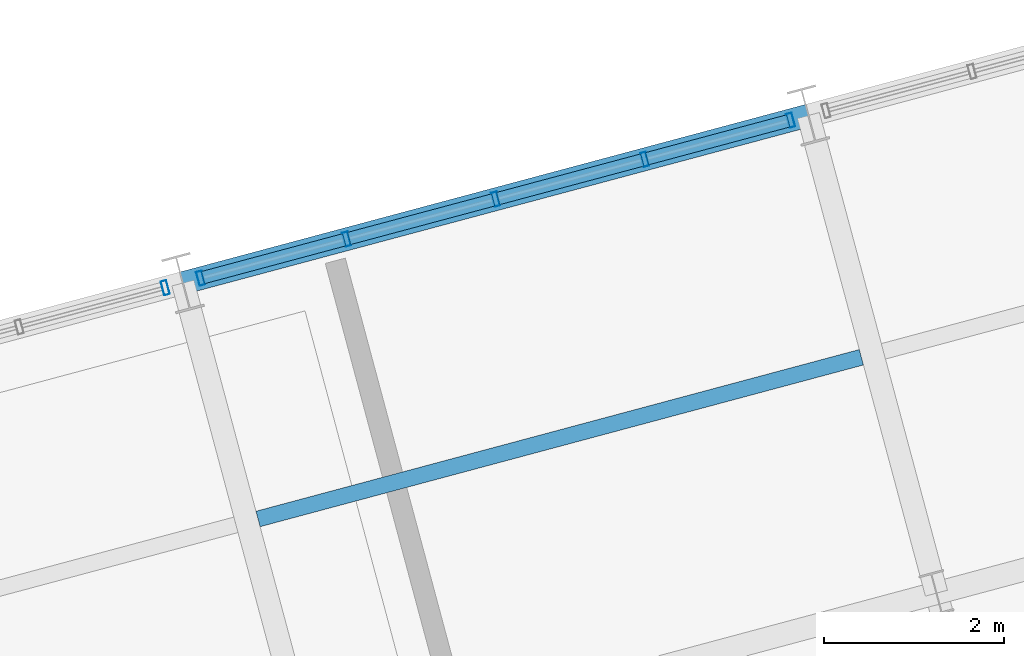
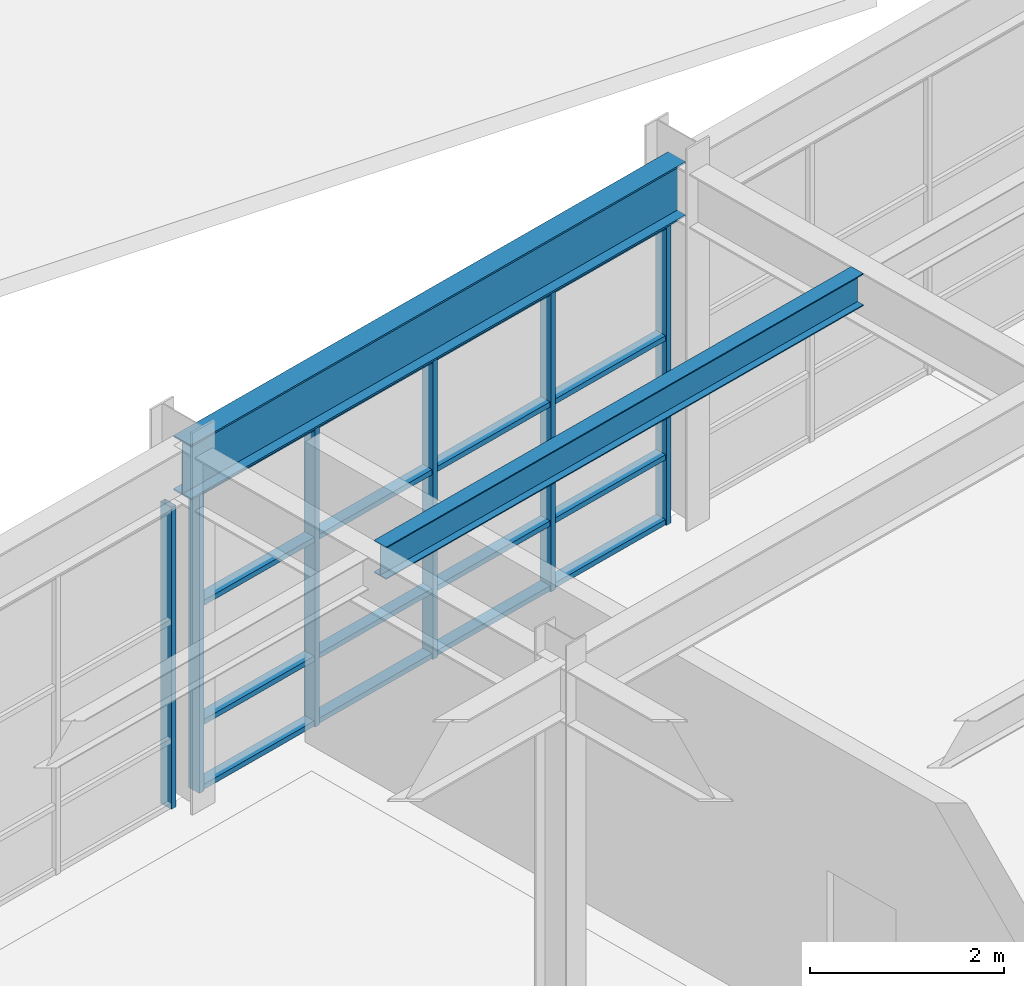
# One storey, part 42 of 104: 22 members, 2 beams, 2 elements without a shape of their own.
"""IFC4 building model written with IfcOpenShell, lengths in metres."""

from ifc_helpers import new_model, si_unit, direction, frame, origin, origin_2d, place, context, subcontext, project, spatial, hollow_rectangle, i_section, extrude, material, layer, layer_set, material_profile, profile_set, type_object, element, aggregate, save


model = new_model("IFC4")

# Units and contexts
model_context = context("Model", 3, precision=1e-05, world=origin(), true_north=direction((0.0, 1.0)))
body_context = subcontext(model_context, "Body", "Model", "MODEL_VIEW")
ifc_project = project(units=[si_unit("LENGTHUNIT", "METRE"), si_unit("AREAUNIT", "SQUARE_METRE"), si_unit("VOLUMEUNIT", "CUBIC_METRE"), si_unit("PLANEANGLEUNIT", "RADIAN"), si_unit("MASSUNIT", "GRAM", prefix="KILO")], contexts=[model_context])

# Site, building, storey
site_placement = place(None, origin())
site = spatial("IfcSite", under=ifc_project, at=site_placement, CompositionType="ELEMENT")
building_placement = place(site_placement, origin())
building = spatial("IfcBuilding", under=site, at=building_placement, Name="Ventoquebrada Cableway Terminal", CompositionType="ELEMENT")
storey_placement = place(building_placement, frame((0.0, 0.0, 4.800048828125)))
storey = spatial("IfcBuildingStorey", under=building, at=storey_placement, Name="L01", CompositionType="ELEMENT", Elevation=4.800048828125)

# Beam
ifc_material_1 = material(Name="Steel ASTM A992 Grade 50", Category="steel")
ifc_material_profile_1 = material_profile(ifc_material_1, i_section(OverallWidth=0.25390625, OverallDepth=0.68798828125, WebThickness=0.01318359375, FlangeThickness=0.02099609375, at=origin_2d()), Name="W27X102")
ifc_profile_set_1 = profile_set([ifc_material_profile_1], Name="Steel ASTM A992 Grade 50")
beam_type_1 = type_object("IfcBeamType", Name="BM-ST04", PredefinedType="BEAM", material=ifc_profile_set_1)
beam_1_placement = place(storey_placement, frame((52.202880859375, 96.761962890625, 4.130859375), z_axis=(0.965945630245, 0.258745124417, 0.0), x_axis=(-0.258745124417, 0.965945630245, 0.0)))
element("IfcBeam", 1, at=beam_1_placement, inside=storey, type_object=beam_type_1, Name="Splayed station girder FBM-1062", PredefinedType="BEAM", context=body_context, shape_type="SweptSolid", body=[
    extrude(i_section(OverallWidth=0.25390625, OverallDepth=0.68798828125, WebThickness=0.01318359375, FlangeThickness=0.02099609375, at=origin_2d()), origin(), (0.0, 0.0, 1.0), 7.2001953125),
])

# Curtain wall, member
ifc_material_2 = material(Name="Anodized thermally-broken aluminium", Category="aluminium")
ifc_layer_1 = layer(ifc_material_2, 0.159912109375)
ifc_layer_set_1 = layer_set([ifc_layer_1], Name="Anodized thermally-broken aluminium")
curtain_wall_type_1 = type_object("IfcCurtainWallType", Name="CW-T37", PredefinedType="USERDEFINED", material=ifc_layer_set_1)
curtain_wall_1_placement = place(storey_placement, origin())
curtain_wall_1 = element("IfcCurtainWall", 2, at=curtain_wall_1_placement, inside=storey, type_object=curtain_wall_type_1, Name="Unitised glazed curtain wall CW-088", ObjectType="UNITISED CURTAIN WALL", PredefinedType="USERDEFINED")
ifc_material_profile_2 = material_profile(ifc_material_2, hollow_rectangle(XDim=0.06494140625, YDim=0.159912109375, WallThickness=0.00390625, at=origin_2d()), Name="CW-MUL-65X160")
ifc_profile_set_2 = profile_set([ifc_material_profile_2], Name="Anodized thermally-broken aluminium")
member_type_1 = type_object("IfcMemberType", Name="CWM-01", PredefinedType="MULLION", material=ifc_profile_set_2)
member_1_placement = place(storey_placement, frame((52.006103515625, 96.708984375, -0.008056640625), z_axis=(0.0, 0.0, 1.0), x_axis=(-0.965925826289, -0.258819045103, 0.0)))
member_1 = element("IfcMember", 3, at=member_1_placement, type_object=member_type_1, Name="Curtain wall mullion FML-0429", PredefinedType="MULLION", context=body_context, shape_type="SweptSolid", body=[
    extrude(hollow_rectangle(XDim=0.06494140625, YDim=0.159912109375, WallThickness=0.00390625, at=origin_2d()), origin(), (0.0, 0.0, 1.0), 3.794921875),
])
aggregate(curtain_wall_1, [member_1])

# Curtain wall, members
ifc_layer_2 = layer(ifc_material_2, 0.159912109375)
ifc_layer_set_2 = layer_set([ifc_layer_2], Name="Anodized thermally-broken aluminium")
curtain_wall_type_2 = type_object("IfcCurtainWallType", Name="CW-T36", PredefinedType="USERDEFINED", material=ifc_layer_set_2)
curtain_wall_2_placement = place(storey_placement, origin())
curtain_wall_2 = element("IfcCurtainWall", 4, at=curtain_wall_2_placement, inside=storey, type_object=curtain_wall_type_2, Name="Unitised glazed curtain wall CW-089", ObjectType="UNITISED CURTAIN WALL", PredefinedType="USERDEFINED")
member_2_placement = place(storey_placement, frame((58.9609375, 98.572021484375, -0.008056640625), z_axis=(0.0, 0.0, 1.0), x_axis=(-0.965970984022, -0.258650455301, 0.0)))
member_2 = element("IfcMember", 5, at=member_2_placement, type_object=member_type_1, Name="Curtain wall mullion FML-0434", PredefinedType="MULLION", context=body_context, shape_type="SweptSolid", body=[
    extrude(hollow_rectangle(XDim=0.06494140625, YDim=0.159912109375, WallThickness=0.00390625, at=origin_2d()), origin(), (0.0, 0.0, 1.0), 3.794921875),
])
member_3_placement = place(storey_placement, frame((57.337890625, 98.136962890625, -0.008056640625), z_axis=(0.0, 0.0, 1.0), x_axis=(-0.965970984022, -0.258650455301, 0.0)))
member_3 = element("IfcMember", 6, at=member_3_placement, type_object=member_type_1, Name="Curtain wall mullion FML-0435", PredefinedType="MULLION", context=body_context, shape_type="SweptSolid", body=[
    extrude(hollow_rectangle(XDim=0.06494140625, YDim=0.159912109375, WallThickness=0.00390625, at=origin_2d()), origin(), (0.0, 0.0, 1.0), 3.794921875),
])
member_4_placement = place(storey_placement, frame((55.679931640625, 97.694091796875, -0.008056640625), z_axis=(0.0, 0.0, 1.0), x_axis=(-0.965970984022, -0.258650455301, 0.0)))
member_4 = element("IfcMember", 7, at=member_4_placement, type_object=member_type_1, Name="Curtain wall mullion FML-0436", PredefinedType="MULLION", context=body_context, shape_type="SweptSolid", body=[
    extrude(hollow_rectangle(XDim=0.06494140625, YDim=0.159912109375, WallThickness=0.00390625, at=origin_2d()), origin(), (0.0, 0.0, 1.0), 3.794921875),
])
member_5_placement = place(storey_placement, frame((54.02294921875, 97.25, -0.008056640625), z_axis=(0.0, 0.0, 1.0), x_axis=(-0.965970984022, -0.258650455301, 0.0)))
member_5 = element("IfcMember", 8, at=member_5_placement, type_object=member_type_1, Name="Curtain wall mullion FML-0437", PredefinedType="MULLION", context=body_context, shape_type="SweptSolid", body=[
    extrude(hollow_rectangle(XDim=0.06494140625, YDim=0.159912109375, WallThickness=0.00390625, at=origin_2d()), origin(), (0.0, 0.0, 1.0), 3.794921875),
])
member_6_placement = place(storey_placement, frame((52.39990234375, 96.81494140625, -0.008056640625), z_axis=(0.0, 0.0, 1.0), x_axis=(-0.965970984022, -0.258650455301, 0.0)))
member_6 = element("IfcMember", 9, at=member_6_placement, type_object=member_type_1, Name="Curtain wall mullion FML-0438", PredefinedType="MULLION", context=body_context, shape_type="SweptSolid", body=[
    extrude(hollow_rectangle(XDim=0.06494140625, YDim=0.159912109375, WallThickness=0.00390625, at=origin_2d()), origin(), (0.0, 0.0, 1.0), 3.794921875),
])
ifc_material_profile_3 = material_profile(ifc_material_2, hollow_rectangle(XDim=0.06494140625, YDim=0.139892578125, WallThickness=0.00390625, at=origin_2d()), Name="CW-TRN-65X140")
ifc_profile_set_3 = profile_set([ifc_material_profile_3], Name="Anodized thermally-broken aluminium")
member_type_2 = type_object("IfcMemberType", Name="CWT-01", PredefinedType="USERDEFINED", material=ifc_profile_set_3)
member_7_placement = place(storey_placement, frame((58.93505859375, 98.56494140625, 0.034912109375), z_axis=(-0.965935321875, -0.258783604493, 0.0), x_axis=(0.0, 0.0, 1.0)))
member_7 = element("IfcMember", 10, at=member_7_placement, type_object=member_type_2, Name="Curtain wall transom FTR-1288", ObjectType="TRANSOM", PredefinedType="USERDEFINED", context=body_context, shape_type="SweptSolid", body=[
    extrude(hollow_rectangle(XDim=0.06494140625, YDim=0.139892578125, WallThickness=0.00390625, at=origin_2d()), origin(), (0.0, 0.0, 1.0), 1.62646484375),
])
member_8_placement = place(storey_placement, frame((58.93505859375, 98.56494140625, 0.849853515625), z_axis=(-0.965935321875, -0.258783604493, 0.0), x_axis=(0.0, 0.0, 1.0)))
member_8 = element("IfcMember", 11, at=member_8_placement, type_object=member_type_2, Name="Curtain wall transom FTR-1289", ObjectType="TRANSOM", PredefinedType="USERDEFINED", context=body_context, shape_type="SweptSolid", body=[
    extrude(hollow_rectangle(XDim=0.06494140625, YDim=0.139892578125, WallThickness=0.00390625, at=origin_2d()), origin(), (0.0, 0.0, 1.0), 1.62646484375),
])
member_9_placement = place(storey_placement, frame((58.93505859375, 98.56494140625, 2.344970703125), z_axis=(-0.965935321875, -0.258783604493, 0.0), x_axis=(0.0, 0.0, 1.0)))
member_9 = element("IfcMember", 12, at=member_9_placement, type_object=member_type_2, Name="Curtain wall transom FTR-1290", ObjectType="TRANSOM", PredefinedType="USERDEFINED", context=body_context, shape_type="SweptSolid", body=[
    extrude(hollow_rectangle(XDim=0.06494140625, YDim=0.139892578125, WallThickness=0.00390625, at=origin_2d()), origin(), (0.0, 0.0, 1.0), 1.62646484375),
])
member_10_placement = place(storey_placement, frame((58.93505859375, 98.56494140625, 3.7470703125), z_axis=(-0.965935321875, -0.258783604493, 0.0), x_axis=(0.0, 0.0, 1.0)))
member_10 = element("IfcMember", 13, at=member_10_placement, type_object=member_type_2, Name="Curtain wall transom FTR-1291", ObjectType="TRANSOM", PredefinedType="USERDEFINED", context=body_context, shape_type="SweptSolid", body=[
    extrude(hollow_rectangle(XDim=0.06494140625, YDim=0.139892578125, WallThickness=0.00390625, at=origin_2d()), origin(), (0.0, 0.0, 1.0), 1.62646484375),
])
member_11_placement = place(storey_placement, frame((57.31103515625, 98.1298828125, 0.034912109375), z_axis=(-0.966051658676, -0.258348974778, 0.0), x_axis=(0.0, 0.0, 1.0)))
member_11 = element("IfcMember", 14, at=member_11_placement, type_object=member_type_2, Name="Curtain wall transom FTR-1292", ObjectType="TRANSOM", PredefinedType="USERDEFINED", context=body_context, shape_type="SweptSolid", body=[
    extrude(hollow_rectangle(XDim=0.06494140625, YDim=0.139892578125, WallThickness=0.00390625, at=origin_2d()), origin(), (0.0, 0.0, 1.0), 1.660400390625),
])
member_12_placement = place(storey_placement, frame((57.31103515625, 98.1298828125, 0.849853515625), z_axis=(-0.966051658676, -0.258348974778, 0.0), x_axis=(0.0, 0.0, 1.0)))
member_12 = element("IfcMember", 15, at=member_12_placement, type_object=member_type_2, Name="Curtain wall transom FTR-1293", ObjectType="TRANSOM", PredefinedType="USERDEFINED", context=body_context, shape_type="SweptSolid", body=[
    extrude(hollow_rectangle(XDim=0.06494140625, YDim=0.139892578125, WallThickness=0.00390625, at=origin_2d()), origin(), (0.0, 0.0, 1.0), 1.660400390625),
])
member_13_placement = place(storey_placement, frame((57.31103515625, 98.1298828125, 2.344970703125), z_axis=(-0.966051658676, -0.258348974778, 0.0), x_axis=(0.0, 0.0, 1.0)))
member_13 = element("IfcMember", 16, at=member_13_placement, type_object=member_type_2, Name="Curtain wall transom FTR-1294", ObjectType="TRANSOM", PredefinedType="USERDEFINED", context=body_context, shape_type="SweptSolid", body=[
    extrude(hollow_rectangle(XDim=0.06494140625, YDim=0.139892578125, WallThickness=0.00390625, at=origin_2d()), origin(), (0.0, 0.0, 1.0), 1.660400390625),
])
member_14_placement = place(storey_placement, frame((57.31103515625, 98.1298828125, 3.7470703125), z_axis=(-0.966051658676, -0.258348974778, 0.0), x_axis=(0.0, 0.0, 1.0)))
member_14 = element("IfcMember", 17, at=member_14_placement, type_object=member_type_2, Name="Curtain wall transom FTR-1295", ObjectType="TRANSOM", PredefinedType="USERDEFINED", context=body_context, shape_type="SweptSolid", body=[
    extrude(hollow_rectangle(XDim=0.06494140625, YDim=0.139892578125, WallThickness=0.00390625, at=origin_2d()), origin(), (0.0, 0.0, 1.0), 1.660400390625),
])
member_15_placement = place(storey_placement, frame((55.654052734375, 97.68603515625, 0.034912109375), z_axis=(-0.966051658676, -0.258348974778, 0.0), x_axis=(0.0, 0.0, 1.0)))
member_15 = element("IfcMember", 18, at=member_15_placement, type_object=member_type_2, Name="Curtain wall transom FTR-1296", ObjectType="TRANSOM", PredefinedType="USERDEFINED", context=body_context, shape_type="SweptSolid", body=[
    extrude(hollow_rectangle(XDim=0.06494140625, YDim=0.139892578125, WallThickness=0.00390625, at=origin_2d()), origin(), (0.0, 0.0, 1.0), 1.660400390625),
])
member_16_placement = place(storey_placement, frame((55.654052734375, 97.68603515625, 0.849853515625), z_axis=(-0.966051658676, -0.258348974778, 0.0), x_axis=(0.0, 0.0, 1.0)))
member_16 = element("IfcMember", 19, at=member_16_placement, type_object=member_type_2, Name="Curtain wall transom FTR-1297", ObjectType="TRANSOM", PredefinedType="USERDEFINED", context=body_context, shape_type="SweptSolid", body=[
    extrude(hollow_rectangle(XDim=0.06494140625, YDim=0.139892578125, WallThickness=0.00390625, at=origin_2d()), origin(), (0.0, 0.0, 1.0), 1.660400390625),
])
member_17_placement = place(storey_placement, frame((55.654052734375, 97.68603515625, 2.344970703125), z_axis=(-0.966051658676, -0.258348974778, 0.0), x_axis=(0.0, 0.0, 1.0)))
member_17 = element("IfcMember", 20, at=member_17_placement, type_object=member_type_2, Name="Curtain wall transom FTR-1298", ObjectType="TRANSOM", PredefinedType="USERDEFINED", context=body_context, shape_type="SweptSolid", body=[
    extrude(hollow_rectangle(XDim=0.06494140625, YDim=0.139892578125, WallThickness=0.00390625, at=origin_2d()), origin(), (0.0, 0.0, 1.0), 1.660400390625),
])
member_18_placement = place(storey_placement, frame((55.654052734375, 97.68603515625, 3.7470703125), z_axis=(-0.966051658676, -0.258348974778, 0.0), x_axis=(0.0, 0.0, 1.0)))
member_18 = element("IfcMember", 21, at=member_18_placement, type_object=member_type_2, Name="Curtain wall transom FTR-1299", ObjectType="TRANSOM", PredefinedType="USERDEFINED", context=body_context, shape_type="SweptSolid", body=[
    extrude(hollow_rectangle(XDim=0.06494140625, YDim=0.139892578125, WallThickness=0.00390625, at=origin_2d()), origin(), (0.0, 0.0, 1.0), 1.660400390625),
])
member_19_placement = place(storey_placement, frame((53.9970703125, 97.242919921875, 0.034912109375), z_axis=(-0.965935321875, -0.258783604493, 0.0), x_axis=(0.0, 0.0, 1.0)))
member_19 = element("IfcMember", 22, at=member_19_placement, type_object=member_type_2, Name="Curtain wall transom FTR-1300", ObjectType="TRANSOM", PredefinedType="USERDEFINED", context=body_context, shape_type="SweptSolid", body=[
    extrude(hollow_rectangle(XDim=0.06494140625, YDim=0.139892578125, WallThickness=0.00390625, at=origin_2d()), origin(), (0.0, 0.0, 1.0), 1.62646484375),
])
member_20_placement = place(storey_placement, frame((53.9970703125, 97.242919921875, 0.849853515625), z_axis=(-0.965935321875, -0.258783604493, 0.0), x_axis=(0.0, 0.0, 1.0)))
member_20 = element("IfcMember", 23, at=member_20_placement, type_object=member_type_2, Name="Curtain wall transom FTR-1301", ObjectType="TRANSOM", PredefinedType="USERDEFINED", context=body_context, shape_type="SweptSolid", body=[
    extrude(hollow_rectangle(XDim=0.06494140625, YDim=0.139892578125, WallThickness=0.00390625, at=origin_2d()), origin(), (0.0, 0.0, 1.0), 1.62646484375),
])
member_21_placement = place(storey_placement, frame((53.9970703125, 97.242919921875, 2.344970703125), z_axis=(-0.965935321875, -0.258783604493, 0.0), x_axis=(0.0, 0.0, 1.0)))
member_21 = element("IfcMember", 24, at=member_21_placement, type_object=member_type_2, Name="Curtain wall transom FTR-1302", ObjectType="TRANSOM", PredefinedType="USERDEFINED", context=body_context, shape_type="SweptSolid", body=[
    extrude(hollow_rectangle(XDim=0.06494140625, YDim=0.139892578125, WallThickness=0.00390625, at=origin_2d()), origin(), (0.0, 0.0, 1.0), 1.62646484375),
])
member_22_placement = place(storey_placement, frame((53.9970703125, 97.242919921875, 3.7470703125), z_axis=(-0.965935321875, -0.258783604493, 0.0), x_axis=(0.0, 0.0, 1.0)))
member_22 = element("IfcMember", 25, at=member_22_placement, type_object=member_type_2, Name="Curtain wall transom FTR-1303", ObjectType="TRANSOM", PredefinedType="USERDEFINED", context=body_context, shape_type="SweptSolid", body=[
    extrude(hollow_rectangle(XDim=0.06494140625, YDim=0.139892578125, WallThickness=0.00390625, at=origin_2d()), origin(), (0.0, 0.0, 1.0), 1.62646484375),
])
aggregate(curtain_wall_2, [member_2, member_3, member_4, member_5, member_6, member_7, member_8, member_9, member_10, member_11, member_12, member_13, member_14, member_15, member_16, member_17, member_18, member_19, member_20, member_21, member_22])

# Beam
ifc_material_profile_4 = material_profile(ifc_material_1, i_section(OverallWidth=0.177978515625, OverallDepth=0.406005859375, WebThickness=0.0078125, FlangeThickness=0.0126953125, at=origin_2d()), Name="W16X40")
ifc_profile_set_4 = profile_set([ifc_material_profile_4], Name="Steel ASTM A992 Grade 50")
beam_type_2 = type_object("IfcBeamType", Name="JST-ST06", PredefinedType="JOIST", material=ifc_profile_set_4)
beam_2_placement = place(storey_placement, frame((53.0380859375, 94.137939453125, 4.27197265625), z_axis=(0.96591039222, 0.258876638963, 0.0), x_axis=(-0.258876638963, 0.96591039222, 0.0)))
element("IfcBeam", 26, at=beam_2_placement, inside=storey, type_object=beam_type_2, Name="Splayed deck joist FBM-1069", PredefinedType="JOIST", context=body_context, shape_type="SweptSolid", body=[
    extrude(i_section(OverallWidth=0.177978515625, OverallDepth=0.406005859375, WebThickness=0.0078125, FlangeThickness=0.0126953125, at=origin_2d()), origin(), (0.0, 0.0, 1.0), 6.94580078125),
])

save(model, "model.ifc")
